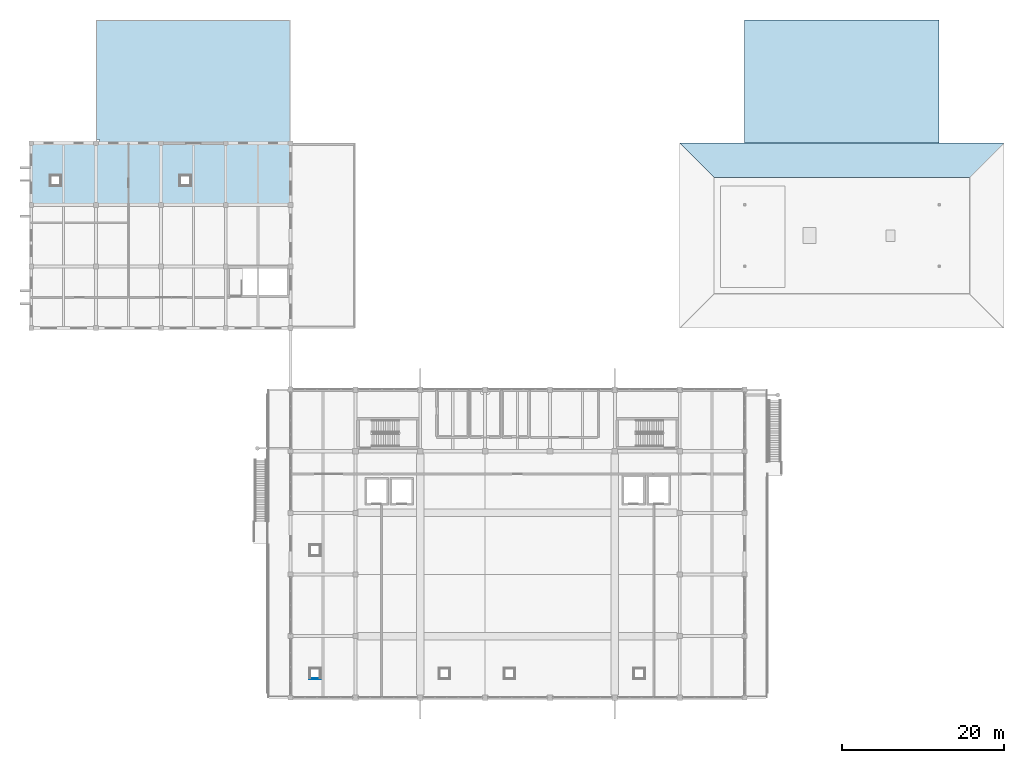
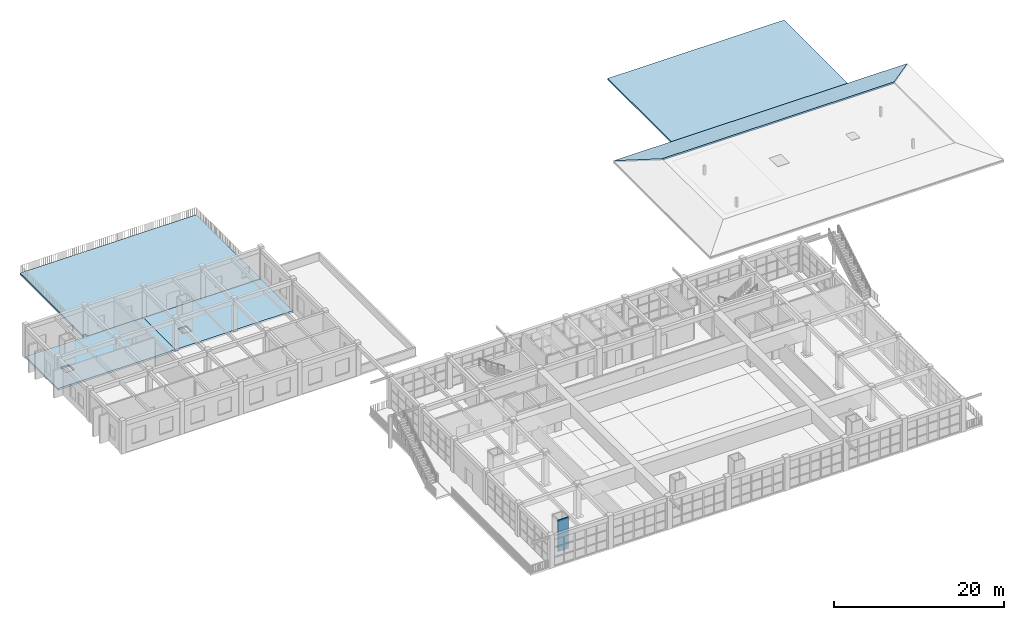
# One storey, part 35 of 50: 5 slabs, 1 wall, 1 element without a shape of its own.
"""IFC4 building model written with IfcOpenShell, lengths in metres."""

from ifc_helpers import new_model, si_unit, direction, frame, frame_2d, origin, place, context, subcontext, project, spatial, polyline, rectangle, outline, extrude, material, layer, layer_set, type_object, element, aggregate, save


model = new_model("IFC4")

# Units and contexts
model_context = context("Model", 3, precision=1e-05, world=origin(), true_north=direction((0.0, 1.0)))
body_context = subcontext(model_context, "Body", "Model", "MODEL_VIEW")
ifc_project = project(units=[si_unit("LENGTHUNIT", "METRE"), si_unit("AREAUNIT", "SQUARE_METRE"), si_unit("VOLUMEUNIT", "CUBIC_METRE"), si_unit("PLANEANGLEUNIT", "RADIAN"), si_unit("MASSUNIT", "GRAM", prefix="KILO")], contexts=[model_context])

# Site, building, storey
site_placement = place(None, origin())
site = spatial("IfcSite", under=ifc_project, at=site_placement, CompositionType="ELEMENT")
building_placement = place(site_placement, origin())
building = spatial("IfcBuilding", under=site, at=building_placement, Name="Zantavel Square City Hall", CompositionType="ELEMENT")
storey_placement = place(building_placement, frame((0.0, 0.0, 18.89990234375)))
storey = spatial("IfcBuildingStorey", under=building, at=storey_placement, Name="L05", CompositionType="ELEMENT", Elevation=18.89990234375)

# Slabs
ifc_material_1 = material(Name="Concrete C35/45", Category="concrete")
ifc_layer_1 = layer(ifc_material_1, 0.260009765625, Name="Concrete C35/45")
ifc_layer_set_1 = layer_set([ifc_layer_1], Name="Concrete C35/45")
slab_type_1 = type_object("IfcSlabType", Name="Council & Executive Slab 260mm C35/45", PredefinedType="FLOOR", material=ifc_layer_set_1)
slab_1_placement = place(storey_placement, frame((0.0, 0.0, -0.260009765625)))
element("IfcSlab", 1, at=slab_1_placement, inside=storey, type_object=slab_type_1, Name="L05 Floor Slab SLB-L05-V5M-03", PredefinedType="FLOOR", context=body_context, shape_type="SweptSolid", body=[
    extrude(outline(polyline([(40.0, 98.800048828125), (40.0, 91.199951171875), (24.0, 91.199951171875), (24.0, 98.800048828125), (40.0, 98.800048828125)]), holes=[polyline([(27.60009765625, 94.800048828125), (26.39990234375, 94.800048828125), (26.39990234375, 93.60009765625), (27.60009765625, 93.60009765625), (27.60009765625, 94.800048828125)])]), origin(), (0.0, 0.0, 1.0), 0.260009765625),
])
slab_2_placement = place(storey_placement, frame((0.0, 0.0, -0.260009765625)))
element("IfcSlab", 2, at=slab_2_placement, inside=storey, type_object=slab_type_1, Name="L05 Floor Slab SLB-L05-V5M-04", PredefinedType="FLOOR", context=body_context, shape_type="SweptSolid", body=[
    extrude(outline(polyline([(56.0, 91.199951171875), (40.0, 91.199951171875), (40.0, 98.800048828125), (56.0, 98.800048828125), (56.0, 91.199951171875)]), holes=[polyline([(43.60009765625, 94.800048828125), (42.39990234375, 94.800048828125), (42.39990234375, 93.60009765625), (43.60009765625, 93.60009765625), (43.60009765625, 94.800048828125)])]), origin(), (0.0, 0.0, 1.0), 0.260009765625),
])
ifc_layer_2 = layer(ifc_material_1, 0.219970703125, Name="Concrete C35/45")
ifc_layer_set_2 = layer_set([ifc_layer_2], Name="Concrete C35/45")
slab_type_2 = type_object("IfcSlabType", Name="Insulated Flat Roof Slab 220mm C35/45", PredefinedType="ROOF", material=ifc_layer_set_2)
slab_3_placement = place(storey_placement, frame((0.0, 0.0, -0.219970703125)))
element("IfcSlab", 3, at=slab_3_placement, inside=storey, type_object=slab_type_2, Name="L05 Insulated Flat Roof Slab SLB-ROOF-V4-MANSARD-BASE2-1", PredefinedType="ROOF", context=body_context, shape_type="SweptSolid", body=[
    extrude(outline(polyline([(112.0, 114.0), (136.0, 114.0), (136.0, 98.800048828125), (112.0, 98.800048828125), (112.0, 114.0)])), origin(), (0.0, 0.0, 1.0), 0.219970703125),
])

# Roof, slab
ifc_material_2 = material(Name="Patinated copper-zinc standing seam", Category="aluminium")
roof_type = type_object("IfcRoofType", Name="Copper-Zinc Mansard Roof Assembly", PredefinedType="MANSARD_ROOF", material=ifc_material_2)
roof_placement = place(storey_placement, origin())
roof = element("IfcRoof", 4, at=roof_placement, inside=storey, type_object=roof_type, Name="L05 Copper-Zinc Mansard Roof ROOF-V4-MANSARD", PredefinedType="MANSARD_ROOF")
ifc_layer_3 = layer(ifc_material_1, 0.179931640625, Name="Concrete C35/45")
ifc_layer_set_3 = layer_set([ifc_layer_3], Name="Concrete C35/45")
slab_type_3 = type_object("IfcSlabType", Name="Mansard Sloped Roof Deck 180mm C35/45", PredefinedType="ROOF", material=ifc_layer_set_3)
slab_4_placement = place(storey_placement, frame((144.0, 98.800048828125, 0.163330078125), z_axis=(0.0, 0.309037319544, 0.951049912007), x_axis=(-1.0, 0.0, 0.0)))
slab_4 = element("IfcSlab", 5, at=slab_4_placement, type_object=slab_type_3, Name="ROOF-V4-MANSARD Sloped Mansard Skirt N", PredefinedType="ROOF", context=body_context, shape_type="SweptSolid", body=[
    extrude(outline(polyline([(0.0, 0.0), (40.0, 0.0), (35.800048828125, 4.416120667117246), (4.199951171875, 4.416120667117246), (0.0, 0.0)])), origin(), (0.0, 0.0, -1.0), 0.179931640625),
])
aggregate(roof, [slab_4])

# Slab
ifc_material_3 = material(Name="Precast concrete C40/50", Category="concrete")
ifc_layer_4 = layer(ifc_material_3, 0.280029296875, Name="Precast concrete C40/50")
ifc_layer_set_4 = layer_set([ifc_layer_4], Name="Precast concrete C40/50")
slab_type_4 = type_object("IfcSlabType", Name="White Cantera Tray Slab 280mm C40/50", PredefinedType="FLOOR", material=ifc_layer_set_4)
slab_5_placement = place(storey_placement, frame((0.0, 0.0, -0.27978515625)))
element("IfcSlab", 6, at=slab_5_placement, inside=storey, type_object=slab_type_4, Name="L05 Outdoor Terrace Slab SLB-L05-TERR-DINING", PredefinedType="FLOOR", context=body_context, shape_type="SweptSolid", body=[
    extrude(outline(polyline([(56.0, 114.0), (56.0, 98.800048828125), (40.0, 98.800048828125), (32.449951171875, 98.800048828125), (32.449951171875, 99.25), (32.0, 99.25), (32.0, 114.0), (56.0, 114.0)])), origin(), (0.0, 0.0, 1.0), 0.27978515625),
])

# Wall
ifc_layer_5 = layer(ifc_material_1, 0.1201171875, Name="Concrete C35/45")
ifc_layer_set_5 = layer_set([ifc_layer_5], Name="Concrete C35/45")
wall_type = type_object("IfcWallType", Name="Riser Chase Wall RC 120mm C35/45", PredefinedType="PARTITIONING", material=ifc_layer_set_5)
wall_placement = place(storey_placement, frame((59.719970703125, 32.739990234375, 0.0), z_axis=(0.0, 0.0, 1.0), x_axis=(-1.0, 0.0, 0.0)))
element("IfcWall", 7, at=wall_placement, inside=storey, type_object=wall_type, Name="L05 MEP Riser 01 Wall S", PredefinedType="PARTITIONING", context=body_context, shape_type="SweptSolid", body=[
    extrude(rectangle(XDim=1.43994140625, YDim=0.1201171875, at=frame_2d((0.719970703125, 0.0))), origin(), (0.0, 0.0, 1.0), 4.52001953125),
])

save(model, "model.ifc")
